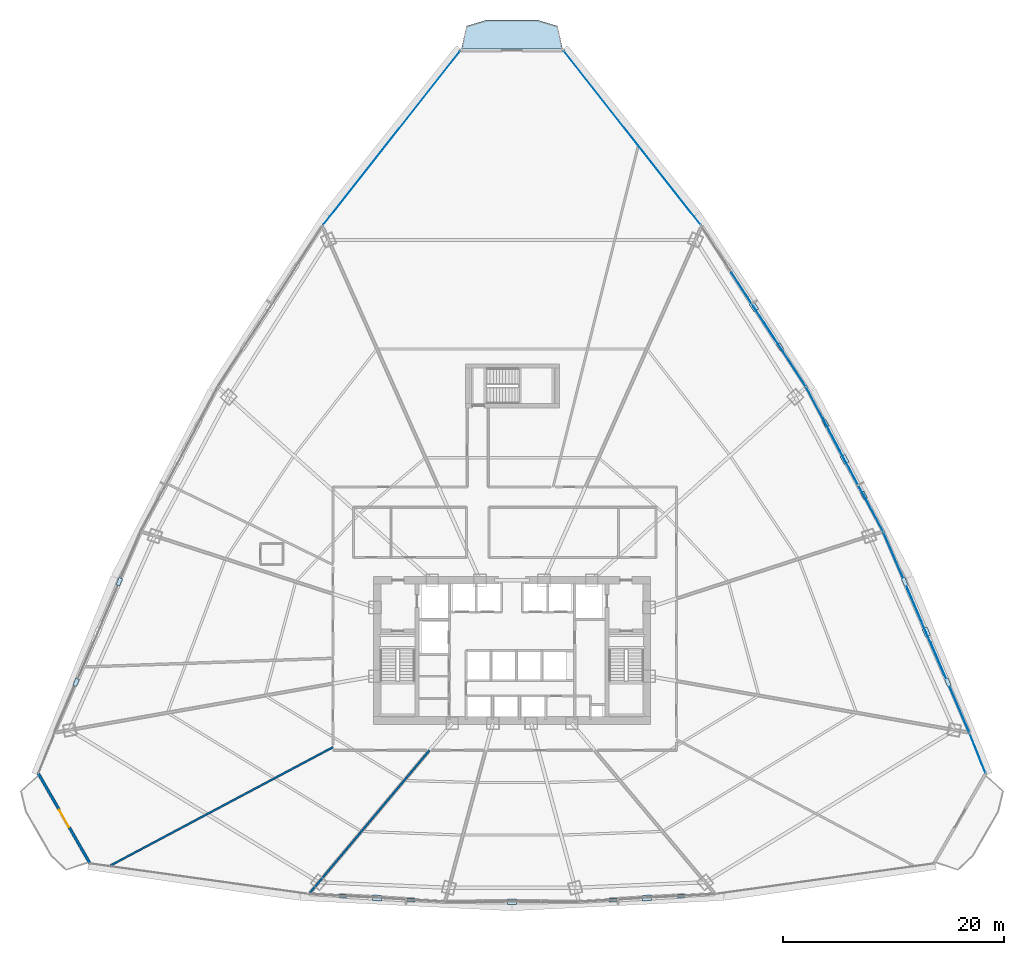
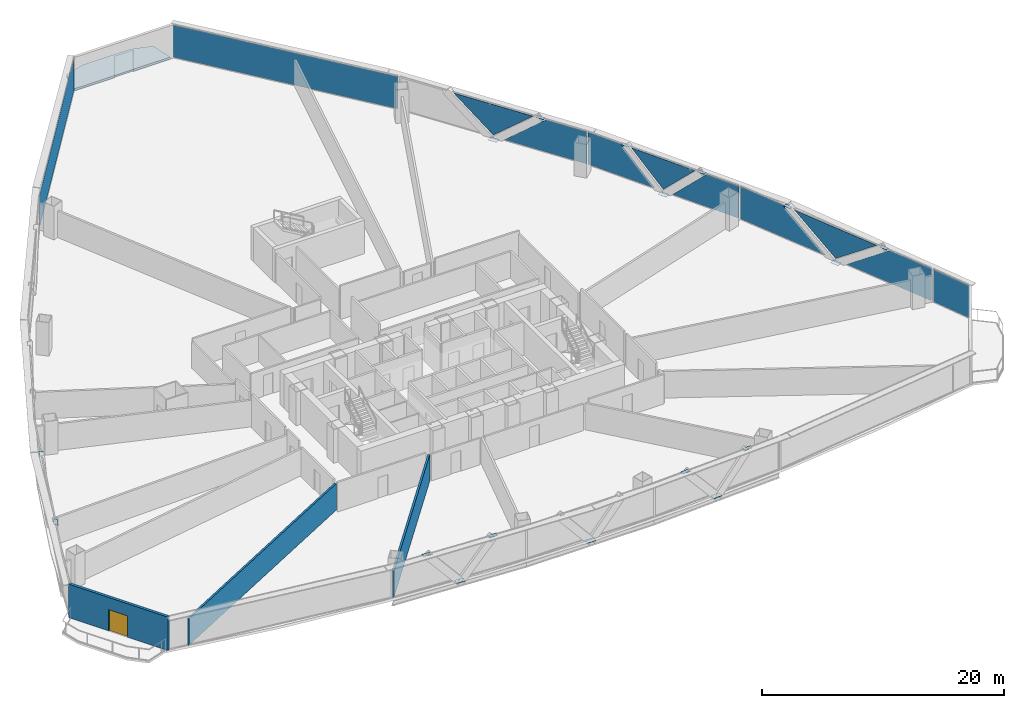
# One storey, part 28 of 37: 28 plates, 3 walls, 1 door, 1 slab, 1 opening, 6 elements without a shape of their own.
"""IFC4 building model written with IfcOpenShell, lengths in metres."""

from ifc_helpers import new_model, si_unit, direction, frame, frame_2d, origin, origin_with_axes, origin_2d, place, context, subcontext, project, spatial, polyline, rectangle, outline, extrude, source, transform, mapped, material, layer, layer_set, type_object, element, fill, aggregate, save


model = new_model("IFC4")

# Units and contexts
model_context = context("Model", 3, precision=1e-05, world=origin(), true_north=direction((0.0, 1.0)))
body_context = subcontext(model_context, "Body", "Model", "MODEL_VIEW")
ifc_project = project(units=[si_unit("LENGTHUNIT", "METRE"), si_unit("AREAUNIT", "SQUARE_METRE"), si_unit("VOLUMEUNIT", "CUBIC_METRE"), si_unit("PLANEANGLEUNIT", "RADIAN"), si_unit("MASSUNIT", "GRAM", prefix="KILO"), si_unit("THERMODYNAMICTEMPERATUREUNIT", "KELVIN"), si_unit("POWERUNIT", "WATT")], contexts=[model_context])

# Site, building, storey
site_placement = place(None, origin())
site = spatial("IfcSite", under=ifc_project, at=site_placement, CompositionType="ELEMENT")
building_placement = place(site_placement, origin())
building = spatial("IfcBuilding", under=site, at=building_placement, Name="Yunzhuo Pagoda Commons", CompositionType="ELEMENT")
storey_placement = place(building_placement, frame((0.0, 0.0, 55.81005859375)))
storey = spatial("IfcBuildingStorey", under=building, at=storey_placement, Name="L14", CompositionType="ELEMENT", Elevation=55.81005859375)

# Curtain wall, plates
ifc_material_1 = material(Name="Anodized aluminium 6063-T6", Category="aluminium")
ifc_layer_1 = layer(ifc_material_1, 0.1650390625)
ifc_layer_set_1 = layer_set([ifc_layer_1], Name="Anodized aluminium 6063-T6")
curtain_wall_type = type_object("IfcCurtainWallType", Name="CW-LOW Low-Zone Ribbon Curtain Wall", PredefinedType="NOTDEFINED", material=ifc_layer_set_1)
curtain_wall_1_placement = place(storey_placement, origin())
curtain_wall_1 = element("IfcCurtainWall", 1, at=curtain_wall_1_placement, inside=storey, type_object=curtain_wall_type, Name="L14 curtain wall CW-L14-F2B2", PredefinedType="NOTDEFINED")
ifc_material_2 = material(Name="Tempered low-e double glazing", Category="glass")
ifc_layer_2 = layer(ifc_material_2, 0.028076171875)
ifc_layer_set_2 = layer_set([ifc_layer_2], Name="Tempered low-e double glazing")
plate_type_1 = type_object("IfcPlateType", Name="CW-LOW-P Low-E Double Glazing 28", PredefinedType="CURTAIN_PANEL", material=ifc_layer_set_2)
plate_1_placement = place(storey_placement, frame((87.6533203125, 30.479736328125, 1.68505859375), z_axis=(0.918993139703, 0.394273520769, 0.0), x_axis=(-0.394273520769, 0.918993139703, 0.0)))
plate_1 = element("IfcPlate", 2, at=plate_1_placement, type_object=plate_type_1, Name="CW panel 1.1 lite 1", PredefinedType="CURTAIN_PANEL", context=body_context, shape_type="SweptSolid", body=[
    extrude(outline(polyline([(-4.384521484375, -1.625), (4.384521484375, -1.625), (-0.0537109375, 1.625), (-4.384521484375, 1.625), (-4.384521484375, -1.625)])), origin(), (0.0, 0.0, 1.0), 0.028076171875),
])
plate_2_placement = place(storey_placement, frame((85.47119140625, 35.489990234375, 1.760498046875), z_axis=(0.918993139703, 0.394273520769, 0.0), x_axis=(-0.394273520769, 0.918993139703, 0.0)))
plate_2 = element("IfcPlate", 3, at=plate_2_placement, type_object=plate_type_1, Name="CW panel 1.1 lite 2", PredefinedType="CURTAIN_PANEL", context=body_context, shape_type="SweptSolid", body=[
    extrude(outline(polyline([(-4.23193359375, 1.549560546875), (0.0, -1.549560546875), (4.23193359375, 1.549560546875), (-4.23193359375, 1.549560546875)])), origin(), (0.0, 0.0, 1.0), 0.028076171875),
])
plate_3_placement = place(storey_placement, frame((83.34423828125, 40.523681640625, 1.68505859375), z_axis=(0.918993139703, 0.394273520769, 0.0), x_axis=(-0.394273520769, 0.918993139703, 0.0)))
plate_3 = element("IfcPlate", 4, at=plate_3_placement, type_object=plate_type_1, Name="CW panel 1.1 lite 3", PredefinedType="CURTAIN_PANEL", context=body_context, shape_type="SweptSolid", body=[
    extrude(outline(polyline([(-4.384521484375, -1.625), (4.384521484375, -1.625), (4.384521484375, 1.625), (0.0537109375, 1.625), (-4.384521484375, -1.625)])), origin(), (0.0, 0.0, 1.0), 0.028076171875),
])
aggregate(curtain_wall_1, [plate_1, plate_2, plate_3])

curtain_wall_2_placement = place(storey_placement, origin())
curtain_wall_2 = element("IfcCurtainWall", 5, at=curtain_wall_2_placement, inside=storey, type_object=curtain_wall_type, Name="L14 curtain wall CW-L14-F2B3", PredefinedType="NOTDEFINED")
plate_4_placement = place(storey_placement, frame((80.038330078125, 47.523681640625, 1.68505859375), z_axis=(0.882469570104, 0.470369490762, 0.0), x_axis=(-0.470369490762, 0.882469570104, 0.0)))
plate_4 = element("IfcPlate", 6, at=plate_4_placement, type_object=plate_type_1, Name="CW panel 1.1 lite 1", PredefinedType="CURTAIN_PANEL", context=body_context, shape_type="SweptSolid", body=[
    extrude(outline(polyline([(-3.234619140625, -1.625), (3.234619140625, -1.625), (-0.07958984375, 1.625), (-3.234619140625, 1.625), (-3.234619140625, -1.625)])), origin(), (0.0, 0.0, 1.0), 0.028076171875),
])
plate_5_placement = place(storey_placement, frame((78.08154296875, 51.131103515625, 1.791015625), z_axis=(0.882469570104, 0.470369490762, 0.0), x_axis=(-0.470369490762, 0.882469570104, 0.0)))
plate_5 = element("IfcPlate", 7, at=plate_5_placement, type_object=plate_type_1, Name="CW panel 1.1 lite 2", PredefinedType="CURTAIN_PANEL", context=body_context, shape_type="SweptSolid", body=[
    extrude(outline(polyline([(-3.097900390625, 1.518798828125), (0.0, -1.518798828125), (3.097900390625, 1.518798828125), (-3.097900390625, 1.518798828125)])), origin(), (0.0, 0.0, 1.0), 0.028076171875),
])
plate_6_placement = place(storey_placement, frame((76.177734375, 54.7666015625, 1.68505859375), z_axis=(0.882469570104, 0.470369490762, 0.0), x_axis=(-0.470369490762, 0.882469570104, 0.0)))
plate_6 = element("IfcPlate", 8, at=plate_6_placement, type_object=plate_type_1, Name="CW panel 1.1 lite 3", PredefinedType="CURTAIN_PANEL", context=body_context, shape_type="SweptSolid", body=[
    extrude(outline(polyline([(-3.234619140625, -1.625), (3.234619140625, -1.625), (3.234619140625, 1.625), (0.07958984375, 1.625), (-3.234619140625, -1.625)])), origin(), (0.0, 0.0, 1.0), 0.028076171875),
])
aggregate(curtain_wall_2, [plate_4, plate_5, plate_6])

curtain_wall_3_placement = place(storey_placement, origin())
curtain_wall_3 = element("IfcCurtainWall", 9, at=curtain_wall_3_placement, inside=storey, type_object=curtain_wall_type, Name="L14 curtain wall CW-L14-F2B4", PredefinedType="NOTDEFINED")
plate_7_placement = place(storey_placement, frame((72.5078125, 60.94140625, 1.68505859375), z_axis=(0.838776712394, 0.544475552018, 0.0), x_axis=(-0.544475552018, 0.838776712394, 0.0)))
plate_7 = element("IfcPlate", 10, at=plate_7_placement, type_object=plate_type_1, Name="CW panel 1.1 lite 1", PredefinedType="CURTAIN_PANEL", context=body_context, shape_type="SweptSolid", body=[
    extrude(outline(polyline([(-3.826171875, -1.625), (3.825927734375, -1.625), (-0.0654296875, 1.625), (-3.826171875, 1.625), (-3.826171875, -1.625)])), origin(), (0.0, 0.0, 1.0), 0.028076171875),
])
plate_8_placement = place(storey_placement, frame((69.867919921875, 64.952880859375, 1.7724609375), z_axis=(0.838776712394, 0.544475552018, 0.0), x_axis=(-0.544475552018, 0.838776712394, 0.0)))
plate_8 = element("IfcPlate", 11, at=plate_8_placement, type_object=plate_type_1, Name="CW panel 1.1 lite 2", PredefinedType="CURTAIN_PANEL", context=body_context, shape_type="SweptSolid", body=[
    extrude(outline(polyline([(-3.681884765625, 1.537353515625), (0.0, -1.537353515625), (3.681884765625, 1.537353515625), (-3.681884765625, 1.537353515625)])), origin(), (0.0, 0.0, 1.0), 0.028076171875),
])
aggregate(curtain_wall_3, [plate_7, plate_8])

# Slab
ifc_material_3 = material(Name="Concrete C40", Category="concrete")
ifc_layer_3 = layer(ifc_material_3, 0.199951171875)
ifc_layer_set_3 = layer_set([ifc_layer_3], Name="Concrete C40")
slab_type = type_object("IfcSlabType", Name="SL-BAL Vertex Balcony Deck Slab 200", PredefinedType="FLOOR", material=ifc_layer_set_3)
slab_placement = place(storey_placement, frame((0.0, 0.0, -0.199951171875)))
element("IfcSlab", 12, at=slab_placement, inside=storey, type_object=slab_type, Name="L14 corner balcony V3", PredefinedType="FLOOR", context=body_context, shape_type="SweptSolid", body=[
    extrude(outline(polyline([(52.5830078125, 88.285400390625), (43.4169921875, 88.285400390625), (43.866943359375, 90.38037109375), (45.70849609375, 90.930419921875), (50.29150390625, 90.930419921875), (52.133056640625, 90.38037109375), (52.5830078125, 88.285400390625)])), origin(), (0.0, 0.0, 1.0), 0.199951171875),
])

# Plates
ifc_material_4 = material(Name="Structural steel Q355B", Category="steel")
ifc_layer_4 = layer(ifc_material_4, 0.028076171875)
ifc_layer_set_4 = layer_set([ifc_layer_4], Name="Structural steel Q355B")
plate_type_2 = type_object("IfcPlateType", Name="SP-ND1 Lattice Node Cap Plate 800x500x28", PredefinedType="USERDEFINED", material=ifc_layer_set_4)
shared_shape_1 = source(origin(), body_context, "Body", "SweptSolid", [
    extrude(rectangle(XDim=0.800048828125, YDim=0.5, at=origin_2d()), origin(), (0.0, 0.0, 1.0), 0.028076171875),
])
for number, where, z_axis, x_axis, name in (
    (13, (35.77490234375, 11.4306640625, -0.27392578125), (0.0, 0.0, 1.0), (0.998335783049, -0.057668572754, 0.0), "L14 diamond node plate F1.1A"),
    (14, (48.0, 11.07470703125, -0.27392578125), (0.0, 0.0, 1.0), (1.0, 0.0, 0.0), "L14 diamond node plate F1.2A"),
    (15, (60.22509765625, 11.4306640625, -0.27392578125), (0.0, 0.0, 1.0), (0.998335783049, 0.057668572754, 0.0), "L14 diamond node plate F1.3A"),
    (16, (85.51171875, 35.50732421875, -0.27392578125), (0.0, 0.0, 1.0), (-0.39427876382, 0.918990890271, 0.0), "L14 diamond node plate F2.1A"),
    (17, (78.12060546875, 51.151611328125, -0.27392578125), (0.0, 0.0, 1.0), (-0.470365121964, 0.882471898725, 0.0), "L14 diamond node plate F2.2A"),
    (18, (69.90478515625, 64.976806640625, -0.27392578125), (0.0, 0.0, 1.0), (-0.544478011788, 0.838775115677, 0.0), "L14 diamond node plate F2.3A"),
):
    element("IfcPlate", number, at=place(storey_placement, frame(where, z_axis=z_axis, x_axis=x_axis)), inside=storey, type_object=plate_type_2, Name=name, ObjectType="STIFFENER_PLATE", PredefinedType="USERDEFINED", context=body_context, shape_type="MappedRepresentation", body=[
        mapped(shared_shape_1, transform((0.0, 0.0, 0.0), scale=1.0)),
    ])
shared_shape_2 = source(origin(), body_context, "Body", "SweptSolid", [
    extrude(rectangle(XDim=0.699951171875, YDim=0.35009765625, at=origin_2d()), origin(), (0.0, 0.0, 1.0), 0.035888671875),
])
for number, where, z_axis, x_axis, name in (
    (19, (32.693603515625, 11.6083984375, 3.33203125), (0.0, 0.0, 1.0), (0.998335783049, -0.057668572754, 0.0), "L14 setback lattice tie plate F1.1L"),
    (20, (38.856201171875, 11.252685546875, 3.33203125), (0.0, 0.0, 1.0), (0.998335783049, -0.057668572754, 0.0), "L14 setback lattice tie plate F1.1R"),
    (21, (57.143798828125, 11.252685546875, 3.33203125), (0.0, 0.0, 1.0), (0.998335783049, 0.057668572754, 0.0), "L14 setback lattice tie plate F1.3L"),
    (22, (63.306396484375, 11.6083984375, 3.33203125), (0.0, 0.0, 1.0), (0.998335783049, 0.057668572754, 0.0), "L14 setback lattice tie plate F1.3R"),
    (23, (87.46630859375, 30.951904296875, 3.33203125), (0.0, 0.0, 1.0), (-0.39427876382, 0.918990890271, 0.0), "L14 setback lattice tie plate F2.1L"),
    (24, (83.557373046875, 40.062744140625, 3.33203125), (0.0, 0.0, 1.0), (-0.39427876382, 0.918990890271, 0.0), "L14 setback lattice tie plate F2.1R"),
    (25, (79.86181640625, 47.885009765625, 3.33203125), (0.0, 0.0, 1.0), (-0.470365121964, 0.882471898725, 0.0), "L14 setback lattice tie plate F2.2L"),
    (26, (76.37939453125, 54.41845703125, 3.33203125), (0.0, 0.0, 1.0), (-0.470365121964, 0.882471898725, 0.0), "L14 setback lattice tie plate F2.2R"),
    (27, (72.271484375, 61.330810546875, 3.33203125), (0.0, 0.0, 1.0), (-0.544478011788, 0.838775115677, 0.0), "L14 setback lattice tie plate F2.3L"),
    (28, (12.442626953125, 40.062744140625, 3.33203125), (0.0, 0.0, 1.0), (-0.39427876382, -0.918990890271, 0.0), "L14 setback lattice tie plate F3.3L"),
    (29, (8.53369140625, 30.951904296875, 3.33203125), (0.0, 0.0, 1.0), (-0.39427876382, -0.918990890271, 0.0), "L14 setback lattice tie plate F3.3R"),
):
    element("IfcPlate", number, at=place(storey_placement, frame(where, z_axis=z_axis, x_axis=x_axis)), inside=storey, type_object=plate_type_2, Name=name, ObjectType="STIFFENER_PLATE", PredefinedType="USERDEFINED", context=body_context, shape_type="MappedRepresentation", body=[
        mapped(shared_shape_2, transform((0.0, 0.0, 0.0), scale=1.0)),
    ])

# Curtain wall, plate
curtain_wall_4_placement = place(storey_placement, origin())
curtain_wall_4 = element("IfcCurtainWall", 30, at=curtain_wall_4_placement, inside=storey, type_object=curtain_wall_type, Name="L14 curtain wall CW-L14-F2B1", PredefinedType="NOTDEFINED")
shared_shape_3 = source(origin(), body_context, "Body", "SweptSolid", [
    extrude(rectangle(XDim=3.7783203125, YDim=0.028076171875, at=origin_2d()), origin(), (0.0, 0.0, 1.0), 3.25),
])
plate_9_placement = place(storey_placement, frame((90.16845703125, 24.510009765625, 0.06005859375), z_axis=(0.0, 0.0, 1.0), x_axis=(-0.368614284542, 0.929582438104, 0.0)))
plate_9 = element("IfcPlate", 31, at=plate_9_placement, type_object=plate_type_1, Name="CW panel 1.1", PredefinedType="CURTAIN_PANEL", context=body_context, shape_type="MappedRepresentation", body=[
    mapped(shared_shape_3, transform((0.0, 0.0, 0.0), scale=1.0)),
])
aggregate(curtain_wall_4, [plate_9])

curtain_wall_5_placement = place(storey_placement, origin())
curtain_wall_5 = element("IfcCurtainWall", 32, at=curtain_wall_5_placement, inside=storey, type_object=curtain_wall_type, Name="L14 curtain wall CW-L14-F2B5", PredefinedType="NOTDEFINED")
shared_shape_4 = source(origin(), body_context, "Body", "SweptSolid", [
    extrude(rectangle(XDim=20.002197265625, YDim=0.028076171875, at=origin_2d()), origin(), (0.0, 0.0, 1.0), 3.25),
])
plate_10_placement = place(storey_placement, frame((58.901611328125, 80.23876953125, 0.06005859375), z_axis=(0.0, 0.0, 1.0), x_axis=(-0.618272474794, 0.785963833081, 0.0)))
plate_10 = element("IfcPlate", 33, at=plate_10_placement, type_object=plate_type_1, Name="CW panel 1.1", PredefinedType="CURTAIN_PANEL", context=body_context, shape_type="MappedRepresentation", body=[
    mapped(shared_shape_4, transform((0.0, 0.0, 0.0), scale=1.0)),
])
aggregate(curtain_wall_5, [plate_10])

curtain_wall_6_placement = place(storey_placement, origin())
curtain_wall_6 = element("IfcCurtainWall", 34, at=curtain_wall_6_placement, inside=storey, type_object=curtain_wall_type, Name="L14 curtain wall CW-L14-F3B1", PredefinedType="NOTDEFINED")
plate_11_placement = place(storey_placement, frame((37.098388671875, 80.23876953125, 0.06005859375), z_axis=(0.0, 0.0, 1.0), x_axis=(-0.618272474794, -0.785963833081, 0.0)))
plate_11 = element("IfcPlate", 35, at=plate_11_placement, type_object=plate_type_1, Name="CW panel 1.1", PredefinedType="CURTAIN_PANEL", context=body_context, shape_type="MappedRepresentation", body=[
    mapped(shared_shape_4, transform((0.0, 0.0, 0.0), scale=1.0)),
])
aggregate(curtain_wall_6, [plate_11])

# Wall, opening, door
ifc_material_5 = material(Name="Precast concrete C40", Category="concrete")
ifc_layer_5 = layer(ifc_material_5, 0.260009765625)
ifc_layer_set_5 = layer_set([ifc_layer_5], Name="Precast concrete C40")
wall_type_1 = type_object("IfcWallType", Name="W-BAL1 Corner Balcony Threshold Wall 260", PredefinedType="STANDARD", material=ifc_layer_set_5)
wall_1_placement = place(storey_placement, frame((5.083740234375, 22.7412109375, 0.0), z_axis=(0.0, 0.0, 1.0), x_axis=(0.497919395469, -0.86722331358, 0.0)))
wall_1 = element("IfcWall", 36, at=wall_1_placement, inside=storey, type_object=wall_type_1, Name="L14 corner balcony wall V1", PredefinedType="STANDARD", context=body_context, shape_type="SweptSolid", body=[
    extrude(rectangle(XDim=9.50439453125, YDim=0.260009765625, at=frame_2d((4.752197265625, 0.0))), origin(), (0.0, 0.0, 1.0), 3.369873046875),
])
opening_placement = place(wall_1_placement, frame((3.852294921875, 0.0, 0.0)))
opening = element("IfcOpeningElement", 37, at=opening_placement, cuts=wall_1, Name="Opening D-BAL1", PredefinedType="OPENING", context=body_context, shape_type="SweptSolid", body=[
    extrude(rectangle(XDim=1.800048828125, YDim=2.14990234375, at=frame_2d((0.89990234375, 1.074951171875))), frame((0.0, 0.14013671875, 0.0), z_axis=(0.0, -1.0, 0.0), x_axis=(1.0, 0.0, 0.0)), (0.0, 0.0, 1.0), 0.280029296875),
])
ifc_material_6 = material(Name="Anodized aluminium frame and tempered glazed leaf", Category="aluminium")
door_type = type_object("IfcDoorType", Name="D-BAL1 Corner Balcony Sliding Glazed Door 1800x2150", OperationType="DOUBLE_DOOR_SLIDING", PredefinedType="DOOR", material=ifc_material_6)
shared_shape_5 = source(origin(), body_context, "Body", "SweptSolid", [
    extrude(rectangle(XDim=1.800048828125, YDim=2.14990234375, at=frame_2d((0.89990234375, 1.074951171875))), frame((0.0, 0.02490234375, 0.0), z_axis=(0.0, -1.0, 0.0), x_axis=(1.0, 0.0, 0.0)), (0.0, 0.0, 1.0), 0.050048828125),
])
door_placement = place(opening_placement, origin_with_axes())
door = element("IfcDoor", 38, at=door_placement, inside=storey, type_object=door_type, Name="L14 corner balcony sliding door V1", OperationType="DOUBLE_DOOR_SLIDING", OverallHeight=2.14990234375, OverallWidth=1.800048828125, PredefinedType="DOOR", context=body_context, shape_type="MappedRepresentation", body=[
    mapped(shared_shape_5, transform((0.0, 0.0, 0.0), scale=1.0)),
])
fill(opening, door)

# Walls
ifc_material_7 = material(Name="Gypsum plasterboard on acoustic stud")
ifc_layer_6 = layer(ifc_material_7, 0.179931640625)
ifc_layer_set_6 = layer_set([ifc_layer_6], Name="Gypsum plasterboard on acoustic stud")
wall_type_2 = type_object("IfcWallType", Name="W-PRT2 Acoustic Unit Demising Wall 180", PredefinedType="PARTITIONING", material=ifc_layer_set_6)
wall_2_placement = place(storey_placement, frame((31.800048828125, 25.086181640625, 0.0), z_axis=(0.0, 0.0, 1.0), x_axis=(-0.882952279159, -0.469462749032, 0.0)))
element("IfcWall", 39, at=wall_2_placement, inside=storey, type_object=wall_type_2, Name="L14 interior wall IW-L14-RAD09", PredefinedType="PARTITIONING", context=body_context, shape_type="SweptSolid", body=[
    extrude(rectangle(XDim=22.964599609375, YDim=0.179931640625, at=frame_2d((11.482421875, 0.0))), origin(), (0.0, 0.0, 1.0), 2.669921875),
])
wall_3_placement = place(storey_placement, frame((40.531982421875, 24.800048828125, 0.0), z_axis=(0.0, 0.0, 1.0), x_axis=(-0.642791593325, -0.766041100432, 0.0)))
element("IfcWall", 40, at=wall_3_placement, inside=storey, type_object=wall_type_2, Name="L14 interior wall IW-L14-RAD10", PredefinedType="PARTITIONING", context=body_context, shape_type="SweptSolid", body=[
    extrude(rectangle(XDim=16.98779296875, YDim=0.179931640625, at=frame_2d((8.493896484375, 0.0))), origin(), (0.0, 0.0, 1.0), 2.669921875),
])

save(model, "model.ifc")
